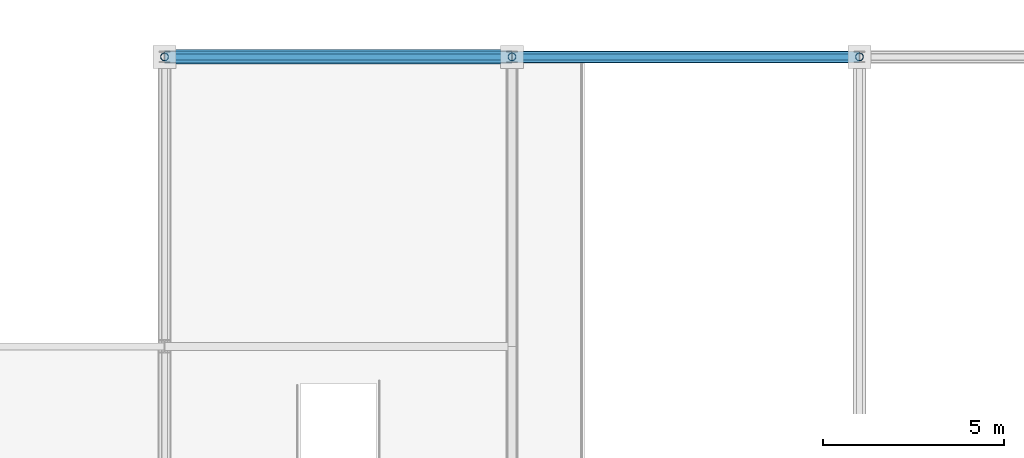
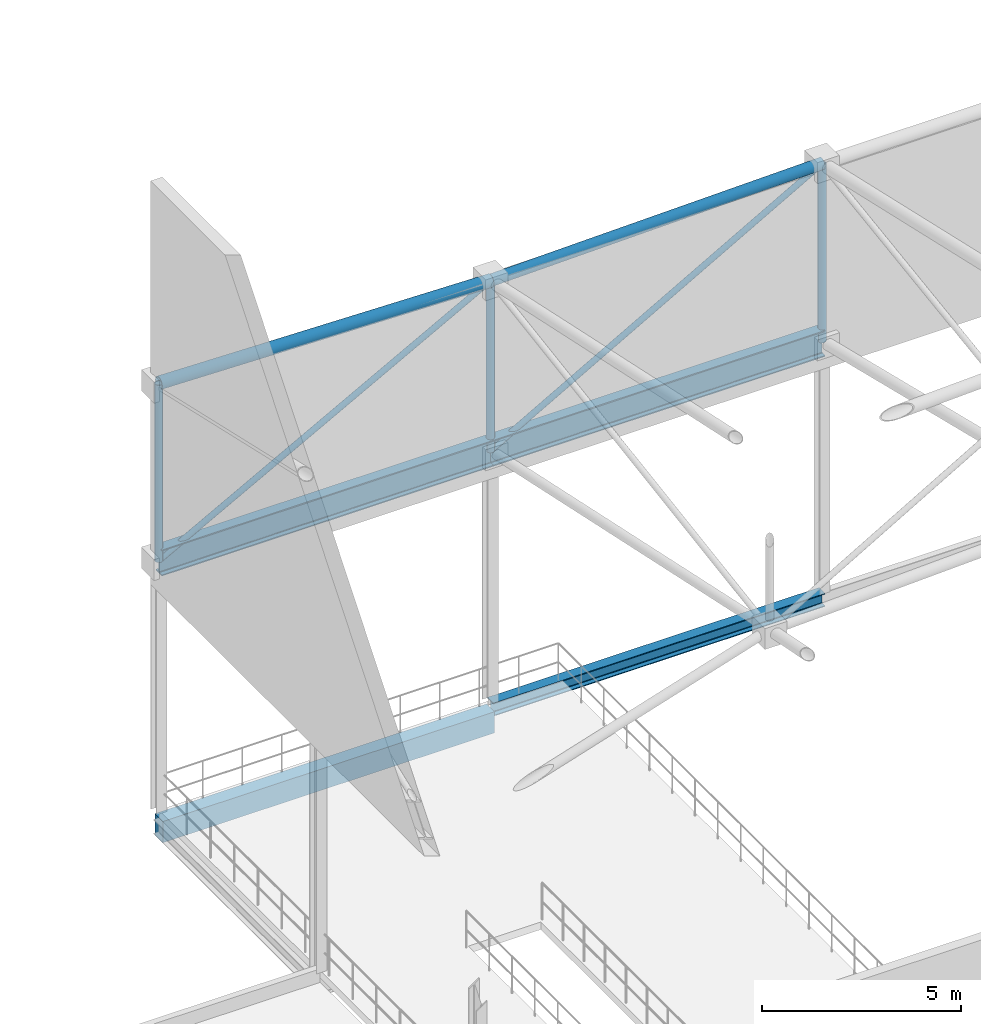
# One storey, part 139 of 193: 7 members, 4 beams.
"""IFC4 building model written with IfcOpenShell, lengths in metres."""

from ifc_helpers import new_model, si_unit, direction, frame, origin, origin_2d, place, context, subcontext, project, spatial, rectangle, hollow_circle, i_section, extrude, material, material_profile, profile_set, type_object, element, save


model = new_model("IFC4")

# Units and contexts
model_context = context("Model", 3, precision=1e-05, world=origin(), true_north=direction((0.0, 1.0)))
body_context = subcontext(model_context, "Body", "Model", "MODEL_VIEW")
ifc_project = project(units=[si_unit("LENGTHUNIT", "METRE"), si_unit("AREAUNIT", "SQUARE_METRE"), si_unit("VOLUMEUNIT", "CUBIC_METRE"), si_unit("PLANEANGLEUNIT", "RADIAN"), si_unit("MASSUNIT", "GRAM", prefix="KILO")], contexts=[model_context])

# Site, building, storey
site_placement = place(None, origin())
site = spatial("IfcSite", under=ifc_project, at=site_placement, CompositionType="ELEMENT")
building_placement = place(site_placement, origin())
building = spatial("IfcBuilding", under=site, at=building_placement, Name="Danafjord Basin Convention Centre", CompositionType="ELEMENT")
storey_placement = place(building_placement, frame((0.0, 0.0, 11.39990234375)))
storey = spatial("IfcBuildingStorey", under=building, at=storey_placement, Name="L02", CompositionType="ELEMENT", Elevation=11.39990234375)

# Beams
ifc_material_1 = material(Name="Steel S355", Category="steel")
ifc_material_profile_1 = material_profile(ifc_material_1, i_section(OverallWidth=0.300048828125, OverallDepth=0.800048828125, WebThickness=0.017578125, FlangeThickness=0.032958984375, FilletRadius=0.030029296875, at=origin_2d()), Name="HEB 800")
ifc_profile_set_1 = profile_set([ifc_material_profile_1], Name="Steel S355")
beam_type_1 = type_object("IfcBeamType", Name="BEAM-BM-HEB800", PredefinedType="BEAM", material=ifc_profile_set_1)
for number, where, z_axis, x_axis, name in (
    (1, (134.39990234375, 144.0, 7.650146484375), (1.0, 0.0, 0.0), (0.0, 1.0, 0.0), "V2 space-frame perimeter ring girder"),
    (2, (144.0, 144.0, 7.650146484375), (1.0, 0.0, 0.0), (0.0, 1.0, 0.0), "V2 space-frame perimeter ring girder"),
):
    element("IfcBeam", number, at=place(storey_placement, frame(where, z_axis=z_axis, x_axis=x_axis)), inside=storey, type_object=beam_type_1, Name=name, PredefinedType="BEAM", context=body_context, shape_type="SweptSolid", body=[
        extrude(i_section(OverallWidth=0.300048828125, OverallDepth=0.800048828125, WebThickness=0.017578125, FlangeThickness=0.032958984375, FilletRadius=0.030029296875, at=origin_2d()), origin(), (0.0, 0.0, 1.0), 9.60009765625),
    ])
ifc_material_profile_2 = material_profile(ifc_material_1, i_section(OverallWidth=0.300048828125, OverallDepth=0.39990234375, WebThickness=0.013427734375, FlangeThickness=0.02392578125, FilletRadius=0.027099609375, at=origin_2d()), Name="HEB 400")
ifc_profile_set_2 = profile_set([ifc_material_profile_2], Name="Steel S355")
beam_type_2 = type_object("IfcBeamType", Name="BEAM-SP-HEB400", PredefinedType="SPANDREL", material=ifc_profile_set_2)
beam_1_placement = place(storey_placement, frame((144.0, 144.0, -0.199951171875), z_axis=(1.0, 0.0, 0.0), x_axis=(0.0, 1.0, 0.0)))
element("IfcBeam", 3, at=beam_1_placement, inside=storey, type_object=beam_type_2, Name="L02 girder SP-HEB400", PredefinedType="SPANDREL", context=body_context, shape_type="SweptSolid", body=[
    extrude(i_section(OverallWidth=0.300048828125, OverallDepth=0.39990234375, WebThickness=0.013427734375, FlangeThickness=0.02392578125, FilletRadius=0.027099609375, at=origin_2d()), origin(), (0.0, 0.0, 1.0), 9.60009765625),
])
ifc_material_2 = material(Name="Precast concrete C45/55", Category="concrete")
ifc_material_profile_3 = material_profile(ifc_material_2, rectangle(XDim=0.39990234375, YDim=0.64990234375, at=origin_2d()), Name="PCB 400x650")
ifc_profile_set_3 = profile_set([ifc_material_profile_3], Name="Precast concrete C45/55")
beam_type_3 = type_object("IfcBeamType", Name="BEAM-SP-PCB650", PredefinedType="SPANDREL", material=ifc_profile_set_3)
beam_2_placement = place(storey_placement, frame((134.39990234375, 144.0, -0.554931640625), z_axis=(1.0, 0.0, 0.0), x_axis=(0.0, 1.0, 0.0)))
element("IfcBeam", 4, at=beam_2_placement, inside=storey, type_object=beam_type_3, Name="L02 girder SP-PCB650", PredefinedType="SPANDREL", context=body_context, shape_type="SweptSolid", body=[
    extrude(rectangle(XDim=0.39990234375, YDim=0.64990234375, at=origin_2d()), origin(), (0.0, 0.0, 1.0), 9.60009765625),
])

# Members
ifc_material_profile_4 = material_profile(ifc_material_1, hollow_circle(Radius=0.161865234375, WallThickness=0.01611328125, at=origin_2d()), Name="CHS 323.9x16.0")
ifc_profile_set_4 = profile_set([ifc_material_profile_4], Name="Steel S355")
member_type_1 = type_object("IfcMemberType", Name="MEM-CH-CHS324", PredefinedType="CHORD", material=ifc_profile_set_4)
member_1_placement = place(storey_placement, frame((144.0, 144.0, 12.85009765625), z_axis=(0.999725222215, 0.0, 0.023440991172), x_axis=(0.0, 1.0, 0.0)))
element("IfcMember", 5, at=member_1_placement, inside=storey, type_object=member_type_1, Name="V2 roof truss longitudinal top chord", PredefinedType="CHORD", context=body_context, shape_type="SweptSolid", body=[
    extrude(hollow_circle(Radius=0.161865234375, WallThickness=0.01611328125, at=origin_2d()), origin(), (0.0, 0.0, 1.0), 9.602783203125),
])
ifc_material_profile_5 = material_profile(ifc_material_1, hollow_circle(Radius=0.177734375, WallThickness=0.01611328125, at=origin_2d()), Name="CHS 355.6x16.0")
ifc_profile_set_5 = profile_set([ifc_material_profile_5], Name="Steel S355")
member_type_2 = type_object("IfcMemberType", Name="MEM-CH-CHS355", PredefinedType="CHORD", material=ifc_profile_set_5)
member_2_placement = place(storey_placement, frame((134.39990234375, 144.0, 13.0751953125), z_axis=(0.999725222215, 0.0, -0.023440991172), x_axis=(0.0, 1.0, 0.0)))
element("IfcMember", 6, at=member_2_placement, inside=storey, type_object=member_type_2, Name="V2 roof truss longitudinal top chord", PredefinedType="CHORD", context=body_context, shape_type="SweptSolid", body=[
    extrude(hollow_circle(Radius=0.177734375, WallThickness=0.01611328125, at=origin_2d()), origin(), (0.0, 0.0, 1.0), 9.602783203125),
])
ifc_material_profile_6 = material_profile(ifc_material_1, hollow_circle(Radius=0.109619140625, WallThickness=0.010009765625, at=origin_2d()), Name="CHS 219.1x10.0")
ifc_profile_set_6 = profile_set([ifc_material_profile_6], Name="Steel S355")
member_type_3 = type_object("IfcMemberType", Name="MEM-ST-CHS219", PredefinedType="STRUT", material=ifc_profile_set_6)
member_3_placement = place(storey_placement, frame((134.39990234375, 144.0, 7.650146484375), z_axis=(0.0, 0.0, 1.0), x_axis=(1.0, 0.0, 0.0)))
element("IfcMember", 7, at=member_3_placement, inside=storey, type_object=member_type_3, Name="V2 roof truss vertical strut", PredefinedType="STRUT", context=body_context, shape_type="SweptSolid", body=[
    extrude(hollow_circle(Radius=0.109619140625, WallThickness=0.010009765625, at=origin_2d()), origin(), (0.0, 0.0, 1.0), 5.425048828125),
])
member_4_placement = place(storey_placement, frame((144.0, 144.0, 7.650146484375), z_axis=(0.0, 0.0, 1.0), x_axis=(1.0, 0.0, 0.0)))
element("IfcMember", 8, at=member_4_placement, inside=storey, type_object=member_type_3, Name="V2 roof truss vertical strut", PredefinedType="STRUT", context=body_context, shape_type="SweptSolid", body=[
    extrude(hollow_circle(Radius=0.109619140625, WallThickness=0.010009765625, at=origin_2d()), origin(), (0.0, 0.0, 1.0), 5.199951171875),
])
member_5_placement = place(storey_placement, frame((153.60009765625, 144.0, 7.650146484375), z_axis=(0.0, 0.0, 1.0), x_axis=(1.0, 0.0, 0.0)))
element("IfcMember", 9, at=member_5_placement, inside=storey, type_object=member_type_3, Name="V2 roof truss vertical strut", PredefinedType="STRUT", context=body_context, shape_type="SweptSolid", body=[
    extrude(hollow_circle(Radius=0.109619140625, WallThickness=0.010009765625, at=origin_2d()), origin(), (0.0, 0.0, 1.0), 5.425048828125),
])
ifc_material_profile_7 = material_profile(ifc_material_1, hollow_circle(Radius=0.084228515625, WallThickness=0.008056640625, at=origin_2d()), Name="CHS 168.3x8.0")
ifc_profile_set_7 = profile_set([ifc_material_profile_7], Name="Steel S355")
member_type_4 = type_object("IfcMemberType", Name="MEM-WB-CHS168", PredefinedType="MEMBER", material=ifc_profile_set_7)
member_6_placement = place(storey_placement, frame((134.39990234375, 144.0, 7.650146484375), z_axis=(0.879295868501, 0.0, 0.476275944845), x_axis=(0.0, 1.0, 0.0)))
element("IfcMember", 10, at=member_6_placement, inside=storey, type_object=member_type_4, Name="V2 space-frame longitudinal web", PredefinedType="MEMBER", context=body_context, shape_type="SweptSolid", body=[
    extrude(hollow_circle(Radius=0.084228515625, WallThickness=0.008056640625, at=origin_2d()), origin(), (0.0, 0.0, 1.0), 10.91796875),
])
member_7_placement = place(storey_placement, frame((144.0, 144.0, 7.650146484375), z_axis=(0.870605308274, 0.0, 0.491982110655), x_axis=(0.0, 1.0, 0.0)))
element("IfcMember", 11, at=member_7_placement, inside=storey, type_object=member_type_4, Name="V2 space-frame longitudinal web", PredefinedType="MEMBER", context=body_context, shape_type="SweptSolid", body=[
    extrude(hollow_circle(Radius=0.084228515625, WallThickness=0.008056640625, at=origin_2d()), origin(), (0.0, 0.0, 1.0), 11.02685546875),
])

save(model, "model.ifc")
